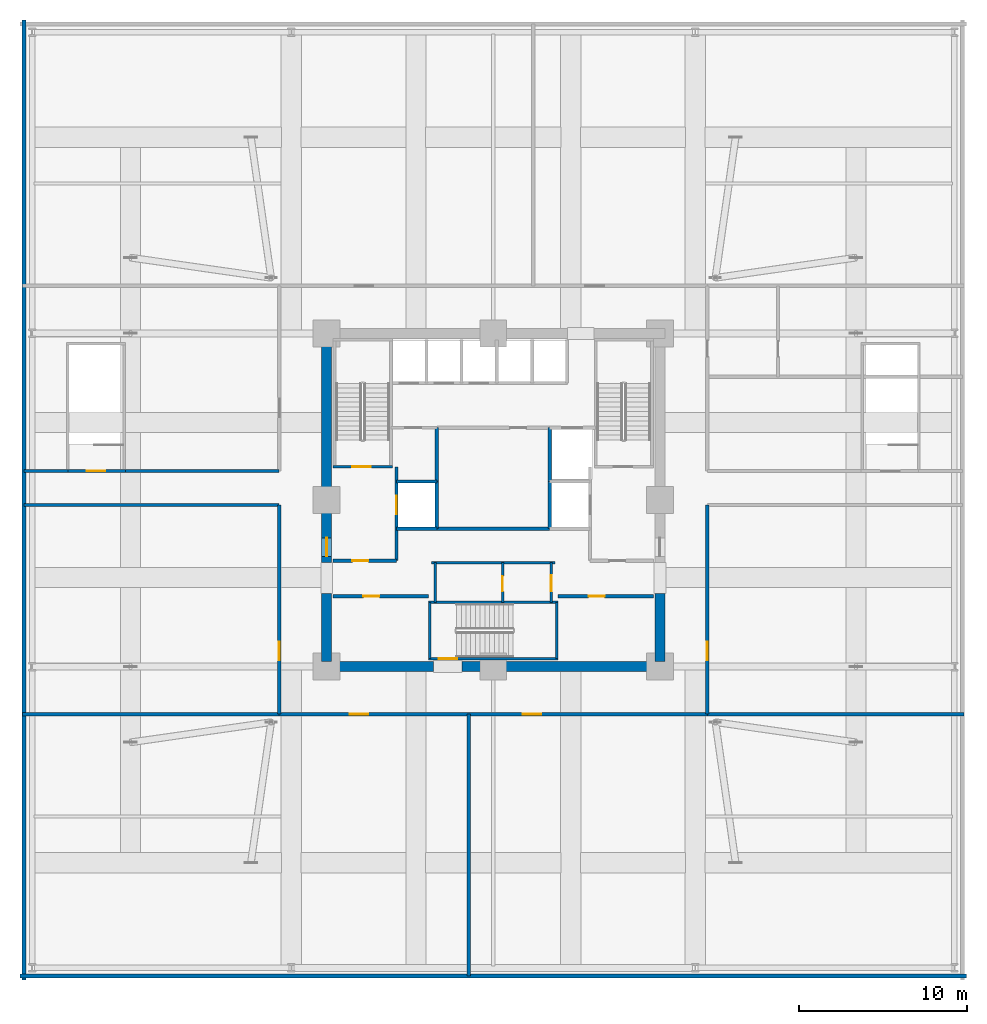
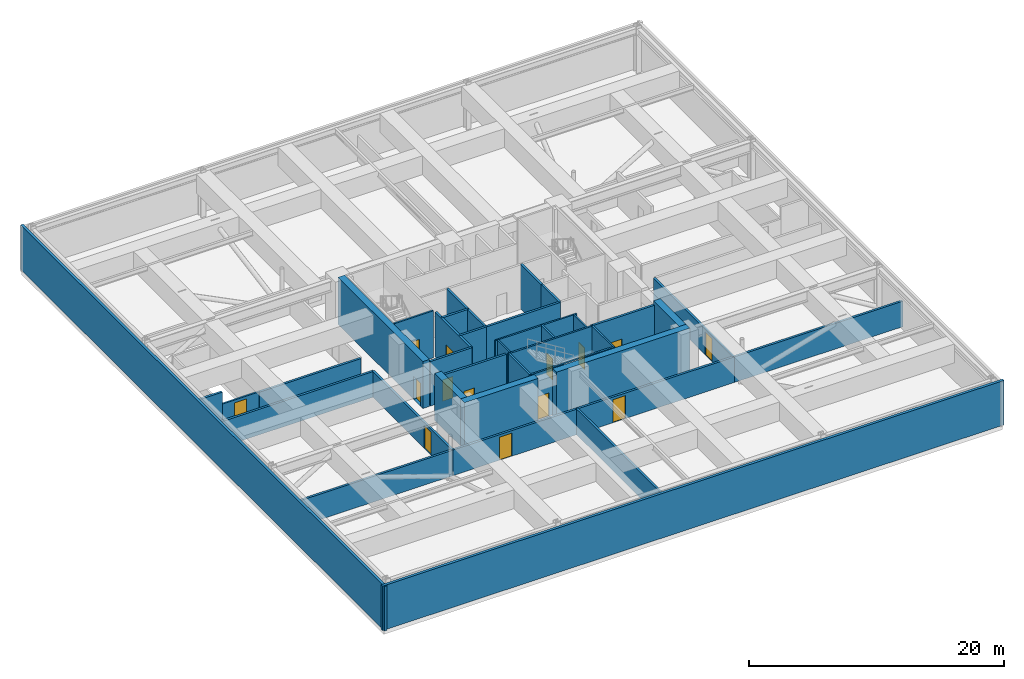
# One storey, part 12 of 16: 37 walls, 14 doors, 14 openings.
"""IFC4 building model written with IfcOpenShell, lengths in metres."""

from ifc_helpers import new_model, si_unit, direction, frame, frame_2d, origin, place, context, subcontext, project, spatial, rectangle, extrude, material, layer, layer_set, type_object, element, fill, save


model = new_model("IFC4")

# Units and contexts
model_context = context("Model", 3, precision=1e-05, world=origin(), true_north=direction((0.0, 1.0)))
body_context = subcontext(model_context, "Body", "Model", "MODEL_VIEW")
ifc_project = project(units=[si_unit("LENGTHUNIT", "METRE"), si_unit("AREAUNIT", "SQUARE_METRE"), si_unit("VOLUMEUNIT", "CUBIC_METRE"), si_unit("PLANEANGLEUNIT", "RADIAN"), si_unit("MASSUNIT", "GRAM", prefix="KILO")], contexts=[model_context])

# Site, building, storey
site_placement = place(None, origin())
site = spatial("IfcSite", under=ifc_project, at=site_placement, CompositionType="ELEMENT")
building_placement = place(site_placement, origin())
building = spatial("IfcBuilding", under=site, at=building_placement, Name="Kolvaren Belvedere", CompositionType="ELEMENT")
storey_placement = place(building_placement, frame((0.0, 0.0, 19.300048828125)))
storey = spatial("IfcBuildingStorey", under=building, at=storey_placement, Name="L05", CompositionType="ELEMENT", Elevation=19.300048828125)

# Walls
ifc_material_1 = material(Name="Concrete C60/75", Category="concrete")
ifc_layer_1 = layer(ifc_material_1, 0.60009765625)
ifc_layer_set_1 = layer_set([ifc_layer_1], Name="Concrete C60/75")
wall_type_1 = type_object("IfcWallType", Name="CW-CORE-600", PredefinedType="SHEAR", material=ifc_layer_set_1)
wall_1_placement = place(storey_placement, frame((10.199951171875, -9.89990234375, 0.0), z_axis=(0.0, 0.0, 1.0), x_axis=(-1.0, 0.0, 0.0)))
element("IfcWall", 1, at=wall_1_placement, inside=storey, type_object=wall_type_1, Name="L05 South Core Shear Wall 1", PredefinedType="SHEAR", context=body_context, shape_type="SweptSolid", body=[
    extrude(rectangle(XDim=12.06005859375, YDim=0.60009765625, at=frame_2d((6.030029296875, 0.0))), origin(), (0.0, 0.0, 1.0), 4.5),
])
wall_2_placement = place(storey_placement, frame((-3.5400390625, -9.89990234375, 0.0), z_axis=(0.0, 0.0, 1.0), x_axis=(-1.0, 0.0, 0.0)))
element("IfcWall", 2, at=wall_2_placement, inside=storey, type_object=wall_type_1, Name="L05 South Core Shear Wall 2", PredefinedType="SHEAR", context=body_context, shape_type="SweptSolid", body=[
    extrude(rectangle(XDim=6.659912109375, YDim=0.60009765625, at=frame_2d((3.330078125, 0.0))), origin(), (0.0, 0.0, 1.0), 4.5),
])
for number, where, z_axis, x_axis, name in (
    (3, (-9.89990234375, -9.60009765625, 0.0), (0.0, 0.0, 1.0), (0.0, 1.0, 0.0), "L05 West Core Shear Wall 1"),
    (4, (9.89990234375, -9.60009765625, 0.0), (0.0, 0.0, 1.0), (0.0, 1.0, 0.0), "L05 East Core Shear Wall 1"),
):
    element("IfcWall", number, at=place(storey_placement, frame(where, z_axis=z_axis, x_axis=x_axis)), inside=storey, type_object=wall_type_1, Name=name, PredefinedType="SHEAR", context=body_context, shape_type="SweptSolid", body=[
        extrude(rectangle(XDim=4.050048828125, YDim=0.60009765625, at=frame_2d((2.02490234375, 0.0))), origin(), (0.0, 0.0, 1.0), 4.5),
    ])

# Wall, opening, door
wall_3_placement = place(storey_placement, frame((-9.89990234375, -3.699951171875, 0.0), z_axis=(0.0, 0.0, 1.0), x_axis=(0.0, 1.0, 0.0)))
wall_3 = element("IfcWall", 5, at=wall_3_placement, inside=storey, type_object=wall_type_1, Name="L05 West Core Shear Wall 2", PredefinedType="SHEAR", context=body_context, shape_type="SweptSolid", body=[
    extrude(rectangle(XDim=13.300048828125, YDim=0.60009765625, at=frame_2d((6.64990234375, 0.0))), origin(), (0.0, 0.0, 1.0), 4.5),
])
opening_1_placement = place(wall_3_placement, frame((0.35009765625, 0.0, 0.0)))
opening_1 = element("IfcOpeningElement", 6, at=opening_1_placement, cuts=wall_3, Name="Opening D-FD90", PredefinedType="OPENING", context=body_context, shape_type="SweptSolid", body=[
    extrude(rectangle(XDim=1.10009765625, YDim=2.199951171875, at=frame_2d((0.550048828125, 1.10009765625))), frame((0.0, 0.31005859375, 0.0), z_axis=(0.0, -1.0, 0.0), x_axis=(1.0, 0.0, 0.0)), (0.0, 0.0, 1.0), 0.6201171875),
])
ifc_material_2 = material(Name="Painted hollow stainless steel", Category="steel")
door_type_1 = type_object("IfcDoorType", Name="DR-FD90-1100", OperationType="NOTDEFINED", PredefinedType="DOOR", material=ifc_material_2)
door_1_placement = place(opening_1_placement, origin())
door_1 = element("IfcDoor", 7, at=door_1_placement, inside=storey, type_object=door_type_1, Name="L05 West Firefighting Lobby Fire Door", OperationType="SINGLE_SWING_LEFT", OverallHeight=2.199951171875, OverallWidth=1.10009765625, PredefinedType="DOOR", context=body_context, shape_type="SweptSolid", body=[
    extrude(rectangle(XDim=1.10009765625, YDim=2.199951171875, at=frame_2d((0.550048828125, 1.10009765625))), frame((0.0, 0.02490234375, 0.0), z_axis=(0.0, -1.0, 0.0), x_axis=(1.0, 0.0, 0.0)), (0.0, 0.0, 1.0), 0.050048828125),
])
fill(opening_1, door_1)

ifc_material_3 = material(Name="Concrete C50/60", Category="concrete")
ifc_layer_2 = layer(ifc_material_3, 0.159912109375)
ifc_layer_set_2 = layer_set([ifc_layer_2], Name="Concrete C50/60")
wall_type_2 = type_object("IfcWallType", Name="CW-STAIR-160", PredefinedType="SHEAR", material=ifc_layer_set_2)
wall_4_placement = place(storey_placement, frame((-9.52001953125, 1.969970703125, 0.0), z_axis=(0.0, 0.0, 1.0), x_axis=(1.0, 0.0, 0.0)))
wall_4 = element("IfcWall", 8, at=wall_4_placement, inside=storey, type_object=wall_type_2, Name="L05 Stair ST-1 South Shear Wall", PredefinedType="SHEAR", context=body_context, shape_type="SweptSolid", body=[
    extrude(rectangle(XDim=3.52001953125, YDim=0.159912109375, at=frame_2d((1.760009765625, 0.0))), origin(), (0.0, 0.0, 1.0), 4.5),
])
opening_2_placement = place(wall_4_placement, frame((1.14990234375, 0.0, 0.0)))
opening_2 = element("IfcOpeningElement", 9, at=opening_2_placement, cuts=wall_4, Name="Opening D-FD90", PredefinedType="OPENING", context=body_context, shape_type="SweptSolid", body=[
    extrude(rectangle(XDim=1.10009765625, YDim=2.199951171875, at=frame_2d((0.550048828125, 1.10009765625))), frame((0.0, 0.08984375, 0.0), z_axis=(0.0, -1.0, 0.0), x_axis=(1.0, 0.0, 0.0)), (0.0, 0.0, 1.0), 0.179931640625),
])
door_2_placement = place(opening_2_placement, origin())
door_2 = element("IfcDoor", 10, at=door_2_placement, inside=storey, type_object=door_type_1, Name="L05 Stair ST-1 Fire Door", OperationType="SINGLE_SWING_LEFT", OverallHeight=2.199951171875, OverallWidth=1.10009765625, PredefinedType="DOOR", context=body_context, shape_type="SweptSolid", body=[
    extrude(rectangle(XDim=1.10009765625, YDim=2.199951171875, at=frame_2d((0.550048828125, 1.10009765625))), frame((0.0, 0.02490234375, 0.0), z_axis=(0.0, -1.0, 0.0), x_axis=(1.0, 0.0, 0.0)), (0.0, 0.0, 1.0), 0.050048828125),
])
fill(opening_2, door_2)

wall_5_placement = place(storey_placement, frame((3.860107421875, -9.429931640625, 0.0), z_axis=(0.0, 0.0, 1.0), x_axis=(-1.0, 0.0, 0.0)))
wall_5 = element("IfcWall", 11, at=wall_5_placement, inside=storey, type_object=wall_type_2, Name="L05 Stair ST-3 South Shear Wall", PredefinedType="SHEAR", context=body_context, shape_type="SweptSolid", body=[
    extrude(rectangle(XDim=7.72021484375, YDim=0.159912109375, at=frame_2d((3.860107421875, 0.0))), origin(), (0.0, 0.0, 1.0), 4.5),
])
opening_3_placement = place(wall_5_placement, frame((6.010009765625, 0.0, 0.0)))
opening_3 = element("IfcOpeningElement", 12, at=opening_3_placement, cuts=wall_5, Name="Opening D-FD90", PredefinedType="OPENING", context=body_context, shape_type="SweptSolid", body=[
    extrude(rectangle(XDim=1.10009765625, YDim=2.199951171875, at=frame_2d((0.550048828125, 1.10009765625))), frame((0.0, 0.08984375, 0.0), z_axis=(0.0, -1.0, 0.0), x_axis=(1.0, 0.0, 0.0)), (0.0, 0.0, 1.0), 0.179931640625),
])
door_3_placement = place(opening_3_placement, origin())
door_3 = element("IfcDoor", 13, at=door_3_placement, inside=storey, type_object=door_type_1, Name="L05 Stair ST-3 Exit Door", OperationType="SINGLE_SWING_RIGHT", OverallHeight=2.199951171875, OverallWidth=1.10009765625, PredefinedType="DOOR", context=body_context, shape_type="SweptSolid", body=[
    extrude(rectangle(XDim=1.10009765625, YDim=2.199951171875, at=frame_2d((0.550048828125, 1.10009765625))), frame((0.0, 0.02490234375, 0.0), z_axis=(0.0, -1.0, 0.0), x_axis=(1.0, 0.0, 0.0)), (0.0, 0.0, 1.0), 0.050048828125),
])
fill(opening_3, door_3)

# Walls
wall_6_placement = place(storey_placement, frame((-3.860107421875, -6.080078125, 0.0), z_axis=(0.0, 0.0, 1.0), x_axis=(1.0, 0.0, 0.0)))
element("IfcWall", 14, at=wall_6_placement, inside=storey, type_object=wall_type_2, Name="L05 Stair ST-3 North Shear Wall", PredefinedType="SHEAR", context=body_context, shape_type="SweptSolid", body=[
    extrude(rectangle(XDim=7.72021484375, YDim=0.159912109375, at=frame_2d((3.860107421875, 0.0))), origin(), (0.0, 0.0, 1.0), 4.5),
])
for number, where, z_axis, x_axis, name in (
    (15, (-3.780029296875, -9.429931640625, 0.0), (0.0, 0.0, 1.0), (0.0, 1.0, 0.0), "L05 Stair ST-3 West Shear Wall"),
    (16, (3.780029296875, -9.429931640625, 0.0), (0.0, 0.0, 1.0), (0.0, 1.0, 0.0), "L05 Stair ST-3 East Shear Wall"),
):
    element("IfcWall", number, at=place(storey_placement, frame(where, z_axis=z_axis, x_axis=x_axis)), inside=storey, type_object=wall_type_2, Name=name, PredefinedType="SHEAR", context=body_context, shape_type="SweptSolid", body=[
        extrude(rectangle(XDim=3.349853515625, YDim=0.159912109375, at=frame_2d((1.6748046875, 0.0))), origin(), (0.0, 0.0, 1.0), 4.5),
    ])

# Wall, opening, door
wall_7_placement = place(storey_placement, frame((-25.360107421875, 1.719970703125, 0.0), z_axis=(0.0, 0.0, 1.0), x_axis=(1.0, 0.0, 0.0)))
wall_7 = element("IfcWall", 17, at=wall_7_placement, inside=storey, type_object=wall_type_2, Name="L05 Stair ST-P1 South Shear Wall", PredefinedType="SHEAR", context=body_context, shape_type="SweptSolid", body=[
    extrude(rectangle(XDim=3.510009765625, YDim=0.159912109375, at=frame_2d((1.7548828125, 0.0))), origin(), (0.0, 0.0, 1.0), 2.4599609375),
])
opening_4_placement = place(wall_7_placement, frame((1.199951171875, 0.0, 0.0)))
opening_4 = element("IfcOpeningElement", 18, at=opening_4_placement, cuts=wall_7, Name="Opening D-FD90", PredefinedType="OPENING", context=body_context, shape_type="SweptSolid", body=[
    extrude(rectangle(XDim=1.10009765625, YDim=2.199951171875, at=frame_2d((0.550048828125, 1.10009765625))), frame((0.0, 0.08984375, 0.0), z_axis=(0.0, -1.0, 0.0), x_axis=(1.0, 0.0, 0.0)), (0.0, 0.0, 1.0), 0.179931640625),
])
door_4_placement = place(opening_4_placement, origin())
door_4 = element("IfcDoor", 19, at=door_4_placement, inside=storey, type_object=door_type_1, Name="L05 Podium Stair ST-P1 Exit Door", OperationType="SINGLE_SWING_LEFT", OverallHeight=2.199951171875, OverallWidth=1.10009765625, PredefinedType="DOOR", context=body_context, shape_type="SweptSolid", body=[
    extrude(rectangle(XDim=1.10009765625, YDim=2.199951171875, at=frame_2d((0.550048828125, 1.10009765625))), frame((0.0, 0.02490234375, 0.0), z_axis=(0.0, -1.0, 0.0), x_axis=(1.0, 0.0, 0.0)), (0.0, 0.0, 1.0), 0.050048828125),
])
fill(opening_4, door_4)

# Walls
ifc_material_4 = material(Name="Insulated acoustic pale-metal louvre wall", Category="aluminium")
ifc_layer_3 = layer(ifc_material_4, 0.239990234375)
ifc_layer_set_3 = layer_set([ifc_layer_3], Name="Insulated acoustic pale-metal louvre wall")
wall_type_3 = type_object("IfcWallType", Name="WL-LOUV-240", PredefinedType="STANDARD", material=ifc_layer_set_3)
wall_8_placement = place(storey_placement, frame((28.1201171875, -28.280029296875, 0.0), z_axis=(0.0, 0.0, 1.0), x_axis=(-1.0, 0.0, 0.0)))
element("IfcWall", 20, at=wall_8_placement, inside=storey, type_object=wall_type_3, Name="L05 Acoustic Louvre Facade Wall 1", PredefinedType="STANDARD", context=body_context, shape_type="SweptSolid", body=[
    extrude(rectangle(XDim=56.240234375, YDim=0.239990234375, at=frame_2d((28.1201171875, 0.0))), origin(), (0.0, 0.0, 1.0), 4.260009765625),
])
wall_9_placement = place(storey_placement, frame((-27.8798828125, -28.52001953125, 0.0), z_axis=(0.0, 0.0, 1.0), x_axis=(0.0, 1.0, 0.0)))
element("IfcWall", 21, at=wall_9_placement, inside=storey, type_object=wall_type_3, Name="L05 Acoustic Louvre Facade Wall 4", PredefinedType="STANDARD", context=body_context, shape_type="SweptSolid", body=[
    extrude(rectangle(XDim=57.0400390625, YDim=0.239990234375, at=frame_2d((28.52001953125, 0.0))), origin(), (0.0, 0.0, 1.0), 4.260009765625),
])
ifc_material_5 = material(Name="Gypsum acoustic partition assembly", Category="gypsum")
ifc_layer_4 = layer(ifc_material_5, 0.14990234375)
ifc_layer_set_4 = layer_set([ifc_layer_4], Name="Gypsum acoustic partition assembly")
wall_type_4 = type_object("IfcWallType", Name="WL-PART-150", PredefinedType="PARTITIONING", material=ifc_layer_set_4)
wall_10_placement = place(storey_placement, frame((-3.679931640625, -3.719970703125, 0.0), z_axis=(0.0, 0.0, 1.0), x_axis=(1.0, 0.0, 0.0)))
element("IfcWall", 22, at=wall_10_placement, inside=storey, type_object=wall_type_4, Name="L05 South Core Service North Wall", PredefinedType="PARTITIONING", context=body_context, shape_type="SweptSolid", body=[
    extrude(rectangle(XDim=7.35986328125, YDim=0.14990234375, at=frame_2d((3.679931640625, 0.0))), origin(), (0.0, 0.0, 1.0), 4.260009765625),
])

# Wall, opening, door
wall_11_placement = place(storey_placement, frame((3.449951171875, -6.080078125, 0.0), z_axis=(0.0, 0.0, 1.0), x_axis=(0.0, 1.0, 0.0)))
wall_11 = element("IfcWall", 23, at=wall_11_placement, inside=storey, type_object=wall_type_4, Name="L05 South Core Service East Wall", PredefinedType="PARTITIONING", context=body_context, shape_type="SweptSolid", body=[
    extrude(rectangle(XDim=2.360107421875, YDim=0.14990234375, at=frame_2d((1.18017578125, 0.0))), origin(), (0.0, 0.0, 1.0), 4.260009765625),
])
opening_5_placement = place(wall_11_placement, frame((0.64990234375, 0.0, 0.0)))
opening_5 = element("IfcOpeningElement", 24, at=opening_5_placement, cuts=wall_11, Name="Opening D-FD60", PredefinedType="OPENING", context=body_context, shape_type="SweptSolid", body=[
    extrude(rectangle(XDim=0.949951171875, YDim=2.06005859375, at=frame_2d((0.47509765625, 1.030029296875))), frame((0.0, 0.0849609375, 0.0), z_axis=(0.0, -1.0, 0.0), x_axis=(1.0, 0.0, 0.0)), (0.0, 0.0, 1.0), 0.169921875),
])
ifc_material_6 = material(Name="Acoustic white-oak fire door leaf", Category="timber")
door_type_2 = type_object("IfcDoorType", Name="DR-FD60-950", OperationType="NOTDEFINED", PredefinedType="DOOR", material=ifc_material_6)
door_5_placement = place(opening_5_placement, origin())
door_5 = element("IfcDoor", 25, at=door_5_placement, inside=storey, type_object=door_type_2, Name="L05 Core Service Room Door", OperationType="SINGLE_SWING_LEFT", OverallHeight=2.06005859375, OverallWidth=0.949951171875, PredefinedType="DOOR", context=body_context, shape_type="SweptSolid", body=[
    extrude(rectangle(XDim=0.949951171875, YDim=2.06005859375, at=frame_2d((0.47509765625, 1.030029296875))), frame((0.0, 0.02490234375, 0.0), z_axis=(0.0, -1.0, 0.0), x_axis=(1.0, 0.0, 0.0)), (0.0, 0.0, 1.0), 0.050048828125),
])
fill(opening_5, door_5)

# Wall
wall_12_placement = place(storey_placement, frame((-3.449951171875, -6.080078125, 0.0), z_axis=(0.0, 0.0, 1.0), x_axis=(0.0, 1.0, 0.0)))
element("IfcWall", 26, at=wall_12_placement, inside=storey, type_object=wall_type_4, Name="L05 South Core Service West Wall", PredefinedType="PARTITIONING", context=body_context, shape_type="SweptSolid", body=[
    extrude(rectangle(XDim=2.360107421875, YDim=0.14990234375, at=frame_2d((1.18017578125, 0.0))), origin(), (0.0, 0.0, 1.0), 4.260009765625),
])

# Wall, opening, door
wall_13_placement = place(storey_placement, frame((0.550048828125, -6.080078125, 0.0), z_axis=(0.0, 0.0, 1.0), x_axis=(0.0, 1.0, 0.0)))
wall_13 = element("IfcWall", 27, at=wall_13_placement, inside=storey, type_object=wall_type_4, Name="L05 Core Service Divider", PredefinedType="PARTITIONING", context=body_context, shape_type="SweptSolid", body=[
    extrude(rectangle(XDim=2.360107421875, YDim=0.14990234375, at=frame_2d((1.18017578125, 0.0))), origin(), (0.0, 0.0, 1.0), 4.260009765625),
])
opening_6_placement = place(wall_13_placement, frame((0.64990234375, 0.0, 0.0)))
opening_6 = element("IfcOpeningElement", 28, at=opening_6_placement, cuts=wall_13, Name="Opening D-INT90", PredefinedType="OPENING", context=body_context, shape_type="SweptSolid", body=[
    extrude(rectangle(XDim=0.89990234375, YDim=2.06005859375, at=frame_2d((0.449951171875, 1.030029296875))), frame((0.0, 0.0849609375, 0.0), z_axis=(0.0, -1.0, 0.0), x_axis=(1.0, 0.0, 0.0)), (0.0, 0.0, 1.0), 0.169921875),
])
ifc_material_7 = material(Name="Stained Pacific white oak", Category="timber")
door_type_3 = type_object("IfcDoorType", Name="DR-INT-900", OperationType="NOTDEFINED", PredefinedType="DOOR", material=ifc_material_7)
door_6_placement = place(opening_6_placement, origin())
door_6 = element("IfcDoor", 29, at=door_6_placement, inside=storey, type_object=door_type_3, Name="L05 BMS Inner Door", OperationType="SINGLE_SWING_LEFT", OverallHeight=2.06005859375, OverallWidth=0.89990234375, PredefinedType="DOOR", context=body_context, shape_type="SweptSolid", body=[
    extrude(rectangle(XDim=0.89990234375, YDim=2.06005859375, at=frame_2d((0.449951171875, 1.030029296875))), frame((0.0, 0.02490234375, 0.0), z_axis=(0.0, -1.0, 0.0), x_axis=(1.0, 0.0, 0.0)), (0.0, 0.0, 1.0), 0.050048828125),
])
fill(opening_6, door_6)

ifc_material_8 = material(Name="Concrete C50/60", Category="concrete")
ifc_layer_5 = layer(ifc_material_8, 0.199951171875)
ifc_layer_set_5 = layer_set([ifc_layer_5], Name="Concrete C50/60")
wall_type_5 = type_object("IfcWallType", Name="WL-SHAFT-200", PredefinedType="SOLIDWALL", material=ifc_layer_set_5)
wall_14_placement = place(storey_placement, frame((-9.52001953125, -3.60009765625, 0.0), z_axis=(0.0, 0.0, 1.0), x_axis=(1.0, 0.0, 0.0)))
wall_14 = element("IfcWall", 30, at=wall_14_placement, inside=storey, type_object=wall_type_5, Name="L05 West FSAE Lobby South Wall", PredefinedType="SOLIDWALL", context=body_context, shape_type="SweptSolid", body=[
    extrude(rectangle(XDim=3.77001953125, YDim=0.199951171875, at=frame_2d((1.885009765625, 0.0))), origin(), (0.0, 0.0, 1.0), 4.260009765625),
])
opening_7_placement = place(wall_14_placement, frame((1.14990234375, 0.0, 0.0)))
opening_7 = element("IfcOpeningElement", 31, at=opening_7_placement, cuts=wall_14, Name="Opening D-FD60", PredefinedType="OPENING", context=body_context, shape_type="SweptSolid", body=[
    extrude(rectangle(XDim=0.949951171875, YDim=2.06005859375, at=frame_2d((0.47509765625, 1.030029296875))), frame((0.0, 0.10986328125, 0.0), z_axis=(0.0, -1.0, 0.0), x_axis=(1.0, 0.0, 0.0)), (0.0, 0.0, 1.0), 0.219970703125),
])
door_7_placement = place(opening_7_placement, origin())
door_7 = element("IfcDoor", 32, at=door_7_placement, inside=storey, type_object=door_type_2, Name="L05 SW Lift Lobby Fire Door", OperationType="SINGLE_SWING_LEFT", OverallHeight=2.06005859375, OverallWidth=0.949951171875, PredefinedType="DOOR", context=body_context, shape_type="SweptSolid", body=[
    extrude(rectangle(XDim=0.949951171875, YDim=2.06005859375, at=frame_2d((0.47509765625, 1.030029296875))), frame((0.0, 0.02490234375, 0.0), z_axis=(0.0, -1.0, 0.0), x_axis=(1.0, 0.0, 0.0)), (0.0, 0.0, 1.0), 0.050048828125),
])
fill(opening_7, door_7)

wall_15_placement = place(storey_placement, frame((-5.75, -3.60009765625, 0.0), z_axis=(0.0, 0.0, 1.0), x_axis=(0.0, 1.0, 0.0)))
wall_15 = element("IfcWall", 33, at=wall_15_placement, inside=storey, type_object=wall_type_5, Name="L05 FSAE FS1 Landing Wall", PredefinedType="SOLIDWALL", context=body_context, shape_type="SweptSolid", body=[
    extrude(rectangle(XDim=5.570068359375, YDim=0.199951171875, at=frame_2d((2.78515625, 0.0))), origin(), (0.0, 0.0, 1.0), 4.260009765625),
])
opening_8_placement = place(wall_15_placement, frame((2.75, 0.0, 0.0)))
opening_8 = element("IfcOpeningElement", 34, at=opening_8_placement, cuts=wall_15, Name="Opening LD-11", PredefinedType="OPENING", context=body_context, shape_type="SweptSolid", body=[
    extrude(rectangle(XDim=1.10009765625, YDim=2.199951171875, at=frame_2d((0.550048828125, 1.10009765625))), frame((0.0, 0.10986328125, 0.0), z_axis=(0.0, -1.0, 0.0), x_axis=(1.0, 0.0, 0.0)), (0.0, 0.0, 1.0), 0.219970703125),
])
ifc_material_9 = material(Name="Brushed stainless steel", Category="steel")
door_type_4 = type_object("IfcDoorType", Name="DR-LIFT-1100", OperationType="DOUBLE_DOOR_SLIDING", PredefinedType="DOOR", material=ifc_material_9)
door_8_placement = place(opening_8_placement, origin())
door_8 = element("IfcDoor", 35, at=door_8_placement, inside=storey, type_object=door_type_4, Name="L05 Firefighting Lift FS1 Landing Door", OperationType="DOUBLE_DOOR_SLIDING", OverallHeight=2.199951171875, OverallWidth=1.10009765625, PredefinedType="DOOR", context=body_context, shape_type="SweptSolid", body=[
    extrude(rectangle(XDim=1.10009765625, YDim=2.199951171875, at=frame_2d((0.550048828125, 1.10009765625))), frame((0.0, 0.02490234375, 0.0), z_axis=(0.0, -1.0, 0.0), x_axis=(1.0, 0.0, 0.0)), (0.0, 0.0, 1.0), 0.050048828125),
])
fill(opening_8, door_8)

# Walls
wall_16_placement = place(storey_placement, frame((-3.35009765625, -1.699951171875, 0.0), z_axis=(0.0, 0.0, 1.0), x_axis=(0.0, 1.0, 0.0)))
element("IfcWall", 36, at=wall_16_placement, inside=storey, type_object=wall_type_5, Name="L05 FSAE FS1 Back Wall", PredefinedType="SOLIDWALL", context=body_context, shape_type="SweptSolid", body=[
    extrude(rectangle(XDim=2.800048828125, YDim=0.199951171875, at=frame_2d((1.39990234375, 0.0))), origin(), (0.0, 0.0, 1.0), 4.260009765625),
])
for number, where, z_axis, x_axis, name in (
    (37, (-5.75, -1.699951171875, 0.0), (0.0, 0.0, 1.0), (1.0, 0.0, 0.0), "L05 FSAE FS1 South Wall"),
    (38, (-5.75, 1.10009765625, 0.0), (0.0, 0.0, 1.0), (1.0, 0.0, 0.0), "L05 FSAE FS1 North Wall"),
):
    element("IfcWall", number, at=place(storey_placement, frame(where, z_axis=z_axis, x_axis=x_axis)), inside=storey, type_object=wall_type_5, Name=name, PredefinedType="SOLIDWALL", context=body_context, shape_type="SweptSolid", body=[
        extrude(rectangle(XDim=2.39990234375, YDim=0.199951171875, at=frame_2d((1.199951171875, 0.0))), origin(), (0.0, 0.0, 1.0), 4.260009765625),
    ])
wall_17_placement = place(storey_placement, frame((3.35009765625, -1.699951171875, 0.0), z_axis=(0.0, 0.0, 1.0), x_axis=(0.0, 1.0, 0.0)))
element("IfcWall", 39, at=wall_17_placement, inside=storey, type_object=wall_type_5, Name="L05 FSAE FS2 Back Wall", PredefinedType="SOLIDWALL", context=body_context, shape_type="SweptSolid", body=[
    extrude(rectangle(XDim=2.800048828125, YDim=0.199951171875, at=frame_2d((1.39990234375, 0.0))), origin(), (0.0, 0.0, 1.0), 4.260009765625),
])

# Wall, opening, door
wall_18_placement = place(storey_placement, frame((-9.52001953125, -5.719970703125, 0.0), z_axis=(0.0, 0.0, 1.0), x_axis=(1.0, 0.0, 0.0)))
wall_18 = element("IfcWall", 40, at=wall_18_placement, inside=storey, type_object=wall_type_5, Name="L05 SW Core Reserve Wall", PredefinedType="SOLIDWALL", context=body_context, shape_type="SweptSolid", body=[
    extrude(rectangle(XDim=5.659912109375, YDim=0.199951171875, at=frame_2d((2.830078125, 0.0))), origin(), (0.0, 0.0, 1.0), 4.260009765625),
])
opening_9_placement = place(wall_18_placement, frame((1.800048828125, 0.0, 0.0)))
opening_9 = element("IfcOpeningElement", 41, at=opening_9_placement, cuts=wall_18, Name="Opening D-FD60", PredefinedType="OPENING", context=body_context, shape_type="SweptSolid", body=[
    extrude(rectangle(XDim=0.949951171875, YDim=2.06005859375, at=frame_2d((0.47509765625, 1.030029296875))), frame((0.0, 0.10986328125, 0.0), z_axis=(0.0, -1.0, 0.0), x_axis=(1.0, 0.0, 0.0)), (0.0, 0.0, 1.0), 0.219970703125),
])
door_9_placement = place(opening_9_placement, origin())
door_9 = element("IfcDoor", 42, at=door_9_placement, inside=storey, type_object=door_type_2, Name="L05 SW Core Room Door", OperationType="SINGLE_SWING_LEFT", OverallHeight=2.06005859375, OverallWidth=0.949951171875, PredefinedType="DOOR", context=body_context, shape_type="SweptSolid", body=[
    extrude(rectangle(XDim=0.949951171875, YDim=2.06005859375, at=frame_2d((0.47509765625, 1.030029296875))), frame((0.0, 0.02490234375, 0.0), z_axis=(0.0, -1.0, 0.0), x_axis=(1.0, 0.0, 0.0)), (0.0, 0.0, 1.0), 0.050048828125),
])
fill(opening_9, door_9)

wall_19_placement = place(storey_placement, frame((3.860107421875, -5.719970703125, 0.0), z_axis=(0.0, 0.0, 1.0), x_axis=(1.0, 0.0, 0.0)))
wall_19 = element("IfcWall", 43, at=wall_19_placement, inside=storey, type_object=wall_type_5, Name="L05 SE Core Distribution Wall", PredefinedType="SOLIDWALL", context=body_context, shape_type="SweptSolid", body=[
    extrude(rectangle(XDim=5.659912109375, YDim=0.199951171875, at=frame_2d((2.830078125, 0.0))), origin(), (0.0, 0.0, 1.0), 4.260009765625),
])
opening_10_placement = place(wall_19_placement, frame((1.800048828125, 0.0, 0.0)))
opening_10 = element("IfcOpeningElement", 44, at=opening_10_placement, cuts=wall_19, Name="Opening D-FD60", PredefinedType="OPENING", context=body_context, shape_type="SweptSolid", body=[
    extrude(rectangle(XDim=0.949951171875, YDim=2.06005859375, at=frame_2d((0.47509765625, 1.030029296875))), frame((0.0, 0.10986328125, 0.0), z_axis=(0.0, -1.0, 0.0), x_axis=(1.0, 0.0, 0.0)), (0.0, 0.0, 1.0), 0.219970703125),
])
door_10_placement = place(opening_10_placement, origin())
door_10 = element("IfcDoor", 45, at=door_10_placement, inside=storey, type_object=door_type_2, Name="L05 Substructure Switchgear Mechanical Plant Door", OperationType="SINGLE_SWING_RIGHT", OverallHeight=2.06005859375, OverallWidth=0.949951171875, PredefinedType="DOOR", context=body_context, shape_type="SweptSolid", body=[
    extrude(rectangle(XDim=0.949951171875, YDim=2.06005859375, at=frame_2d((0.47509765625, 1.030029296875))), frame((0.0, 0.02490234375, 0.0), z_axis=(0.0, -1.0, 0.0), x_axis=(1.0, 0.0, 0.0)), (0.0, 0.0, 1.0), 0.050048828125),
])
fill(opening_10, door_10)

# Walls
wall_20_placement = place(storey_placement, frame((-3.35009765625, -1.699951171875, 0.0), z_axis=(0.0, 0.0, 1.0), x_axis=(1.0, 0.0, 0.0)))
element("IfcWall", 46, at=wall_20_placement, inside=storey, type_object=wall_type_5, Name="L05 Central Core Room South Wall", PredefinedType="SOLIDWALL", context=body_context, shape_type="SweptSolid", body=[
    extrude(rectangle(XDim=6.7001953125, YDim=0.199951171875, at=frame_2d((3.35009765625, 0.0))), origin(), (0.0, 0.0, 1.0), 4.260009765625),
])
for number, where, z_axis, x_axis, name in (
    (47, (-3.35009765625, 1.10009765625, 0.0), (0.0, 0.0, 1.0), (0.0, 1.0, 0.0), "L05 Central Core Room West Wall"),
    (48, (3.35009765625, 1.10009765625, 0.0), (0.0, 0.0, 1.0), (0.0, 1.0, 0.0), "L05 Central Core Room East Wall"),
):
    element("IfcWall", number, at=place(storey_placement, frame(where, z_axis=z_axis, x_axis=x_axis)), inside=storey, type_object=wall_type_5, Name=name, PredefinedType="SOLIDWALL", context=body_context, shape_type="SweptSolid", body=[
        extrude(rectangle(XDim=3.199951171875, YDim=0.199951171875, at=frame_2d((1.60009765625, 0.0))), origin(), (0.0, 0.0, 1.0), 4.260009765625),
    ])

# Wall, openings, doors
wall_21_placement = place(storey_placement, frame((-12.719970703125, -12.719970703125, 0.0), z_axis=(0.0, 0.0, 1.0), x_axis=(1.0, 0.0, 0.0)))
wall_21 = element("IfcWall", 49, at=wall_21_placement, inside=storey, type_object=wall_type_5, Name="L05 South Corridor Wall", PredefinedType="SOLIDWALL", context=body_context, shape_type="SweptSolid", body=[
    extrude(rectangle(XDim=25.43994140625, YDim=0.199951171875, at=frame_2d((12.719970703125, 0.0))), origin(), (0.0, 0.0, 1.0), 2.445068359375),
])
opening_11_placement = place(wall_21_placement, frame((4.199951171875, 0.0, 0.0)))
opening_11 = element("IfcOpeningElement", 50, at=opening_11_placement, cuts=wall_21, Name="Opening D-FD90", PredefinedType="OPENING", context=body_context, shape_type="SweptSolid", body=[
    extrude(rectangle(XDim=1.10009765625, YDim=2.199951171875, at=frame_2d((0.550048828125, 1.10009765625))), frame((0.0, 0.10986328125, 0.0), z_axis=(0.0, -1.0, 0.0), x_axis=(1.0, 0.0, 0.0)), (0.0, 0.0, 1.0), 0.219970703125),
])
opening_12_placement = place(wall_21_placement, frame((14.469970703125, 0.0, 0.0)))
opening_12 = element("IfcOpeningElement", 51, at=opening_12_placement, cuts=wall_21, Name="Opening D-FD90", PredefinedType="OPENING", context=body_context, shape_type="SweptSolid", body=[
    extrude(rectangle(XDim=1.10009765625, YDim=2.199951171875, at=frame_2d((0.550048828125, 1.10009765625))), frame((0.0, 0.10986328125, 0.0), z_axis=(0.0, -1.0, 0.0), x_axis=(1.0, 0.0, 0.0)), (0.0, 0.0, 1.0), 0.219970703125),
])
door_11_placement = place(opening_11_placement, origin())
door_11 = element("IfcDoor", 52, at=door_11_placement, inside=storey, type_object=door_type_1, Name="L05 Primary AHU Mechanical Plant Door", OperationType="SINGLE_SWING_LEFT", OverallHeight=2.199951171875, OverallWidth=1.10009765625, PredefinedType="DOOR", context=body_context, shape_type="SweptSolid", body=[
    extrude(rectangle(XDim=1.10009765625, YDim=2.199951171875, at=frame_2d((0.550048828125, 1.10009765625))), frame((0.0, 0.02490234375, 0.0), z_axis=(0.0, -1.0, 0.0), x_axis=(1.0, 0.0, 0.0)), (0.0, 0.0, 1.0), 0.050048828125),
])
fill(opening_11, door_11)
door_12_placement = place(opening_12_placement, origin())
door_12 = element("IfcDoor", 53, at=door_12_placement, inside=storey, type_object=door_type_1, Name="L05 Chilled-Water Exchanger Mechanical Plant Door", OperationType="SINGLE_SWING_RIGHT", OverallHeight=2.199951171875, OverallWidth=1.10009765625, PredefinedType="DOOR", context=body_context, shape_type="SweptSolid", body=[
    extrude(rectangle(XDim=1.10009765625, YDim=2.199951171875, at=frame_2d((0.550048828125, 1.10009765625))), frame((0.0, 0.02490234375, 0.0), z_axis=(0.0, -1.0, 0.0), x_axis=(1.0, 0.0, 0.0)), (0.0, 0.0, 1.0), 0.050048828125),
])
fill(opening_12, door_12)

# Wall, opening, door
wall_22_placement = place(storey_placement, frame((-12.719970703125, -12.719970703125, 0.0), z_axis=(0.0, 0.0, 1.0), x_axis=(0.0, 1.0, 0.0)))
wall_22 = element("IfcWall", 54, at=wall_22_placement, inside=storey, type_object=wall_type_5, Name="L05 West Corridor Wall S", PredefinedType="SOLIDWALL", context=body_context, shape_type="SweptSolid", body=[
    extrude(rectangle(XDim=12.419921875, YDim=0.199951171875, at=frame_2d((6.2099609375, 0.0))), origin(), (0.0, 0.0, 1.0), 2.445068359375),
])
opening_13_placement = place(wall_22_placement, frame((3.199951171875, 0.0, 0.0)))
opening_13 = element("IfcOpeningElement", 55, at=opening_13_placement, cuts=wall_22, Name="Opening D-FD90", PredefinedType="OPENING", context=body_context, shape_type="SweptSolid", body=[
    extrude(rectangle(XDim=1.10009765625, YDim=2.199951171875, at=frame_2d((0.550048828125, 1.10009765625))), frame((0.0, 0.10986328125, 0.0), z_axis=(0.0, -1.0, 0.0), x_axis=(1.0, 0.0, 0.0)), (0.0, 0.0, 1.0), 0.219970703125),
])
door_13_placement = place(opening_13_placement, origin())
door_13 = element("IfcDoor", 56, at=door_13_placement, inside=storey, type_object=door_type_1, Name="L05 Podium Hydronic Mechanical Plant Door", OperationType="SINGLE_SWING_LEFT", OverallHeight=2.199951171875, OverallWidth=1.10009765625, PredefinedType="DOOR", context=body_context, shape_type="SweptSolid", body=[
    extrude(rectangle(XDim=1.10009765625, YDim=2.199951171875, at=frame_2d((0.550048828125, 1.10009765625))), frame((0.0, 0.02490234375, 0.0), z_axis=(0.0, -1.0, 0.0), x_axis=(1.0, 0.0, 0.0)), (0.0, 0.0, 1.0), 0.050048828125),
])
fill(opening_13, door_13)

wall_23_placement = place(storey_placement, frame((12.719970703125, -12.719970703125, 0.0), z_axis=(0.0, 0.0, 1.0), x_axis=(0.0, 1.0, 0.0)))
wall_23 = element("IfcWall", 57, at=wall_23_placement, inside=storey, type_object=wall_type_5, Name="L05 East Corridor Wall S", PredefinedType="SOLIDWALL", context=body_context, shape_type="SweptSolid", body=[
    extrude(rectangle(XDim=12.419921875, YDim=0.199951171875, at=frame_2d((6.2099609375, 0.0))), origin(), (0.0, 0.0, 1.0), 2.445068359375),
])
opening_14_placement = place(wall_23_placement, frame((3.199951171875, 0.0, 0.0)))
opening_14 = element("IfcOpeningElement", 58, at=opening_14_placement, cuts=wall_23, Name="Opening D-FD90", PredefinedType="OPENING", context=body_context, shape_type="SweptSolid", body=[
    extrude(rectangle(XDim=1.10009765625, YDim=2.199951171875, at=frame_2d((0.550048828125, 1.10009765625))), frame((0.0, 0.10986328125, 0.0), z_axis=(0.0, -1.0, 0.0), x_axis=(1.0, 0.0, 0.0)), (0.0, 0.0, 1.0), 0.219970703125),
])
door_14_placement = place(opening_14_placement, origin())
door_14 = element("IfcDoor", 59, at=door_14_placement, inside=storey, type_object=door_type_1, Name="L05 High-Zone Substation Mechanical Plant Door", OperationType="SINGLE_SWING_RIGHT", OverallHeight=2.199951171875, OverallWidth=1.10009765625, PredefinedType="DOOR", context=body_context, shape_type="SweptSolid", body=[
    extrude(rectangle(XDim=1.10009765625, YDim=2.199951171875, at=frame_2d((0.550048828125, 1.10009765625))), frame((0.0, 0.02490234375, 0.0), z_axis=(0.0, -1.0, 0.0), x_axis=(1.0, 0.0, 0.0)), (0.0, 0.0, 1.0), 0.050048828125),
])
fill(opening_14, door_14)

# Walls
wall_24_placement = place(storey_placement, frame((-27.8798828125, -0.300048828125, 0.0), z_axis=(0.0, 0.0, 1.0), x_axis=(1.0, 0.0, 0.0)))
element("IfcWall", 60, at=wall_24_placement, inside=storey, type_object=wall_type_5, Name="L05 West Stair Spur South Wall", PredefinedType="SOLIDWALL", context=body_context, shape_type="SweptSolid", body=[
    extrude(rectangle(XDim=15.159912109375, YDim=0.199951171875, at=frame_2d((7.580078125, 0.0))), origin(), (0.0, 0.0, 1.0), 2.445068359375),
])
wall_25_placement = place(storey_placement, frame((-27.8798828125, 1.719970703125, 0.0), z_axis=(0.0, 0.0, 1.0), x_axis=(1.0, 0.0, 0.0)))
element("IfcWall", 61, at=wall_25_placement, inside=storey, type_object=wall_type_5, Name="L05 West Stair Spur End Wall", PredefinedType="SOLIDWALL", context=body_context, shape_type="SweptSolid", body=[
    extrude(rectangle(XDim=2.599853515625, YDim=0.199951171875, at=frame_2d((1.2998046875, 0.0))), origin(), (0.0, 0.0, 1.0), 3.62890625),
])
wall_26_placement = place(storey_placement, frame((-21.929931640625, 1.719970703125, 0.0), z_axis=(0.0, 0.0, 1.0), x_axis=(1.0, 0.0, 0.0)))
element("IfcWall", 62, at=wall_26_placement, inside=storey, type_object=wall_type_5, Name="L05 West Stair Spur North Wall", PredefinedType="SOLIDWALL", context=body_context, shape_type="SweptSolid", body=[
    extrude(rectangle(XDim=9.2099609375, YDim=0.199951171875, at=frame_2d((4.60498046875, 0.0))), origin(), (0.0, 0.0, 1.0), 2.445068359375),
])
for number, where, z_axis, x_axis, name in (
    (63, (-27.97998046875, -12.719970703125, 0.0), (0.0, 0.0, 1.0), (1.0, 0.0, 0.0), "L05 Sector Wall PW-L05-QSW"),
    (64, (12.719970703125, -12.719970703125, 0.0), (0.0, 0.0, 1.0), (1.0, 0.0, 0.0), "L05 Sector Wall PW-L05-QSE"),
):
    element("IfcWall", number, at=place(storey_placement, frame(where, z_axis=z_axis, x_axis=x_axis)), inside=storey, type_object=wall_type_5, Name=name, PredefinedType="SOLIDWALL", context=body_context, shape_type="SweptSolid", body=[
        extrude(rectangle(XDim=15.260009765625, YDim=0.199951171875, at=frame_2d((7.6298828125, 0.0))), origin(), (0.0, 0.0, 1.0), 2.445068359375),
    ])
wall_27_placement = place(storey_placement, frame((-1.449951171875, -28.280029296875, 0.0), z_axis=(0.0, 0.0, 1.0), x_axis=(0.0, 1.0, 0.0)))
element("IfcWall", 65, at=wall_27_placement, inside=storey, type_object=wall_type_5, Name="L05 South Plant Fire Wall", PredefinedType="SOLIDWALL", context=body_context, shape_type="SweptSolid", body=[
    extrude(rectangle(XDim=15.56005859375, YDim=0.199951171875, at=frame_2d((7.780029296875, 0.0))), origin(), (0.0, 0.0, 1.0), 2.445068359375),
])

save(model, "model.ifc")
